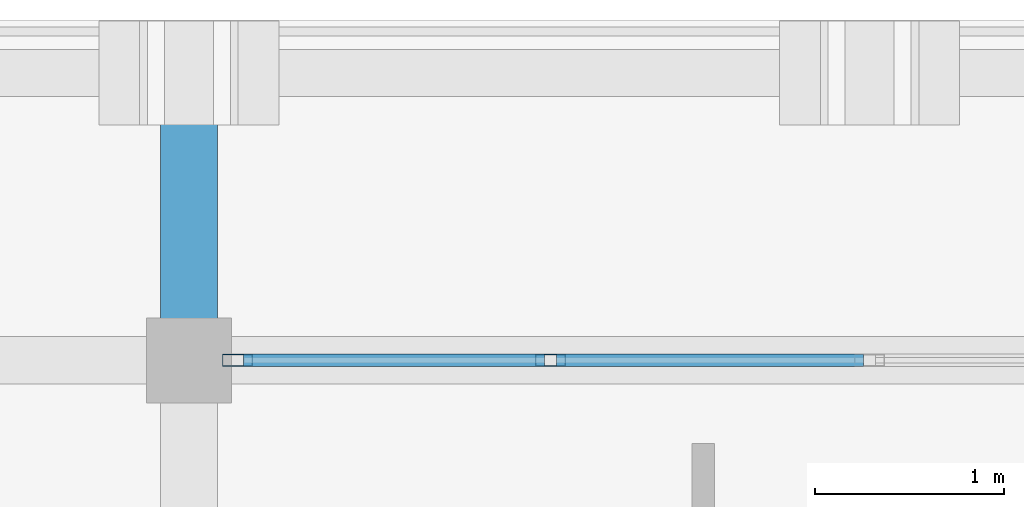
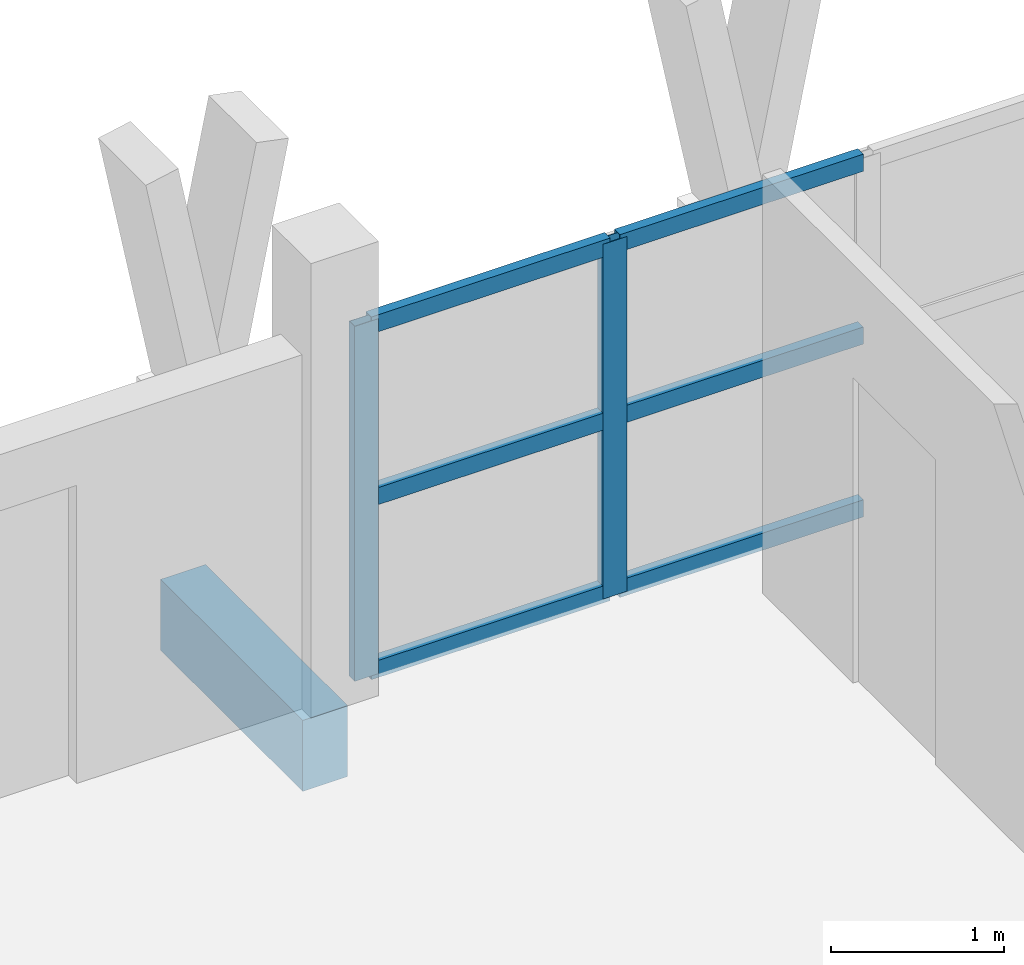
# One storey, part 11 of 32: 8 members, 1 beam, 1 element without a shape of its own.
"""IFC4 building model written with IfcOpenShell, lengths in metres."""

from ifc_helpers import new_model, si_unit, direction, frame, origin, origin_2d, place, context, subcontext, project, spatial, rectangle, hollow_rectangle, extrude, material, material_profile, profile_set, type_object, element, aggregate, save


model = new_model("IFC4")

# Units and contexts
model_context = context("Model", 3, precision=1e-05, world=origin(), true_north=direction((0.0, 1.0)))
body_context = subcontext(model_context, "Body", "Model", "MODEL_VIEW")
ifc_project = project(units=[si_unit("LENGTHUNIT", "METRE"), si_unit("AREAUNIT", "SQUARE_METRE"), si_unit("VOLUMEUNIT", "CUBIC_METRE"), si_unit("PLANEANGLEUNIT", "RADIAN"), si_unit("MASSUNIT", "GRAM", prefix="KILO")], contexts=[model_context])

# Site, building, storey
site_placement = place(None, origin())
site = spatial("IfcSite", under=ifc_project, at=site_placement, CompositionType="ELEMENT")
building_placement = place(site_placement, origin())
building = spatial("IfcBuilding", under=site, at=building_placement, Name="Suanplinth Sawtooth Commons", CompositionType="ELEMENT")
storey_placement = place(building_placement, frame((0.0, 0.0, 41.199951171875)))
storey = spatial("IfcBuildingStorey", under=building, at=storey_placement, Name="L12", CompositionType="ELEMENT", Elevation=41.199951171875)

# Beam
ifc_material_1 = material(Name="Precast concrete C40/50", Category="concrete")
ifc_material_profile_1 = material_profile(ifc_material_1, rectangle(XDim=0.300048828125, YDim=0.5, at=origin_2d()), Name="PC-BM 300x500")
ifc_profile_set_1 = profile_set([ifc_material_profile_1], Name="Precast concrete C40/50")
beam_type = type_object("IfcBeamType", Name="B-07", PredefinedType="BEAM", material=ifc_profile_set_1)
beam_placement = place(storey_placement, frame((165.60009765625, 122.39990234375, -0.429931640625), z_axis=(0.0, 1.0, 0.0), x_axis=(-1.0, 0.0, 0.0)))
element("IfcBeam", 1, at=beam_placement, inside=storey, type_object=beam_type, Name="Balcony Outrigger L12-B-N-23", PredefinedType="BEAM", context=body_context, shape_type="SweptSolid", body=[
    extrude(rectangle(XDim=0.300048828125, YDim=0.5, at=origin_2d()), origin(), (0.0, 0.0, 1.0), 1.64013671875),
])

# Curtain wall, members
ifc_material_2 = material(Name="Anodized aluminium and low-E glazing", Category="aluminium")
curtain_wall_type = type_object("IfcCurtainWallType", Name="CW-06", PredefinedType="USERDEFINED", material=ifc_material_2)
curtain_wall_placement = place(storey_placement, origin())
curtain_wall = element("IfcCurtainWall", 2, at=curtain_wall_placement, inside=storey, type_object=curtain_wall_type, Name="Curtain Wall CW-L12-B-LOUNGE-23", ObjectType="CURTAIN WALL", PredefinedType="USERDEFINED")
ifc_material_3 = material(Name="Anodized aluminium 6063-T6", Category="aluminium")
ifc_material_profile_2 = material_profile(ifc_material_3, hollow_rectangle(XDim=0.06494140625, YDim=0.159912109375, WallThickness=0.00390625, at=origin_2d()), Name="ALU-MUL 65x160")
ifc_profile_set_2 = profile_set([ifc_material_profile_2], Name="Anodized aluminium 6063-T6")
member_type_1 = type_object("IfcMemberType", Name="M-13", PredefinedType="MULLION", material=ifc_profile_set_2)
member_1_placement = place(storey_placement, frame((165.857421875, 122.39990234375, 0.0), z_axis=(0.0, 0.0, 1.0), x_axis=(0.0, 1.0, 0.0)))
member_1 = element("IfcMember", 3, at=member_1_placement, type_object=member_type_1, Name="CW-06 mullion 1", PredefinedType="MULLION", context=body_context, shape_type="SweptSolid", body=[
    extrude(hollow_rectangle(XDim=0.06494140625, YDim=0.159912109375, WallThickness=0.00390625, at=origin_2d()), origin(), (0.0, 0.0, 1.0), 2.5),
])
member_2_placement = place(storey_placement, frame((167.512451171875, 122.39990234375, 0.0), z_axis=(0.0, 0.0, 1.0), x_axis=(0.0, 1.0, 0.0)))
member_2 = element("IfcMember", 4, at=member_2_placement, type_object=member_type_1, Name="CW-06 mullion 2", PredefinedType="MULLION", context=body_context, shape_type="SweptSolid", body=[
    extrude(hollow_rectangle(XDim=0.06494140625, YDim=0.159912109375, WallThickness=0.00390625, at=origin_2d()), origin(), (0.0, 0.0, 1.0), 2.5),
])
ifc_material_profile_3 = material_profile(ifc_material_3, hollow_rectangle(XDim=0.06494140625, YDim=0.1201171875, WallThickness=0.00390625, at=origin_2d()), Name="ALU-TRN 65x120")
ifc_profile_set_3 = profile_set([ifc_material_profile_3], Name="Anodized aluminium 6063-T6")
member_type_2 = type_object("IfcMemberType", Name="M-15", PredefinedType="USERDEFINED", material=ifc_profile_set_3)
member_3_placement = place(storey_placement, frame((165.889892578125, 122.39990234375, 0.032470703125), z_axis=(1.0, 0.0, 0.0), x_axis=(0.0, 1.0, 0.0)))
member_3 = element("IfcMember", 5, at=member_3_placement, type_object=member_type_2, Name="CW-06 transom 1.1", ObjectType="TRANSOM", PredefinedType="USERDEFINED", context=body_context, shape_type="SweptSolid", body=[
    extrude(hollow_rectangle(XDim=0.06494140625, YDim=0.1201171875, WallThickness=0.00390625, at=origin_2d()), origin(), (0.0, 0.0, 1.0), 1.590087890625),
])
member_4_placement = place(storey_placement, frame((165.889892578125, 122.39990234375, 1.25), z_axis=(1.0, 0.0, 0.0), x_axis=(0.0, 1.0, 0.0)))
member_4 = element("IfcMember", 6, at=member_4_placement, type_object=member_type_2, Name="CW-06 transom 1.2", ObjectType="TRANSOM", PredefinedType="USERDEFINED", context=body_context, shape_type="SweptSolid", body=[
    extrude(hollow_rectangle(XDim=0.06494140625, YDim=0.1201171875, WallThickness=0.00390625, at=origin_2d()), origin(), (0.0, 0.0, 1.0), 1.590087890625),
])
member_5_placement = place(storey_placement, frame((165.889892578125, 122.39990234375, 2.467529296875), z_axis=(1.0, 0.0, 0.0), x_axis=(0.0, 1.0, 0.0)))
member_5 = element("IfcMember", 7, at=member_5_placement, type_object=member_type_2, Name="CW-06 transom 1.3", ObjectType="TRANSOM", PredefinedType="USERDEFINED", context=body_context, shape_type="SweptSolid", body=[
    extrude(hollow_rectangle(XDim=0.06494140625, YDim=0.1201171875, WallThickness=0.00390625, at=origin_2d()), origin(), (0.0, 0.0, 1.0), 1.590087890625),
])
member_6_placement = place(storey_placement, frame((167.544921875, 122.39990234375, 0.032470703125), z_axis=(1.0, 0.0, 0.0), x_axis=(0.0, 1.0, 0.0)))
member_6 = element("IfcMember", 8, at=member_6_placement, type_object=member_type_2, Name="CW-06 transom 2.1", ObjectType="TRANSOM", PredefinedType="USERDEFINED", context=body_context, shape_type="SweptSolid", body=[
    extrude(hollow_rectangle(XDim=0.06494140625, YDim=0.1201171875, WallThickness=0.00390625, at=origin_2d()), origin(), (0.0, 0.0, 1.0), 1.62255859375),
])
member_7_placement = place(storey_placement, frame((167.544921875, 122.39990234375, 1.25), z_axis=(1.0, 0.0, 0.0), x_axis=(0.0, 1.0, 0.0)))
member_7 = element("IfcMember", 9, at=member_7_placement, type_object=member_type_2, Name="CW-06 transom 2.2", ObjectType="TRANSOM", PredefinedType="USERDEFINED", context=body_context, shape_type="SweptSolid", body=[
    extrude(hollow_rectangle(XDim=0.06494140625, YDim=0.1201171875, WallThickness=0.00390625, at=origin_2d()), origin(), (0.0, 0.0, 1.0), 1.62255859375),
])
member_8_placement = place(storey_placement, frame((167.544921875, 122.39990234375, 2.467529296875), z_axis=(1.0, 0.0, 0.0), x_axis=(0.0, 1.0, 0.0)))
member_8 = element("IfcMember", 10, at=member_8_placement, type_object=member_type_2, Name="CW-06 transom 2.3", ObjectType="TRANSOM", PredefinedType="USERDEFINED", context=body_context, shape_type="SweptSolid", body=[
    extrude(hollow_rectangle(XDim=0.06494140625, YDim=0.1201171875, WallThickness=0.00390625, at=origin_2d()), origin(), (0.0, 0.0, 1.0), 1.62255859375),
])
aggregate(curtain_wall, [member_1, member_2, member_3, member_4, member_5, member_6, member_7, member_8])

save(model, "model.ifc")
